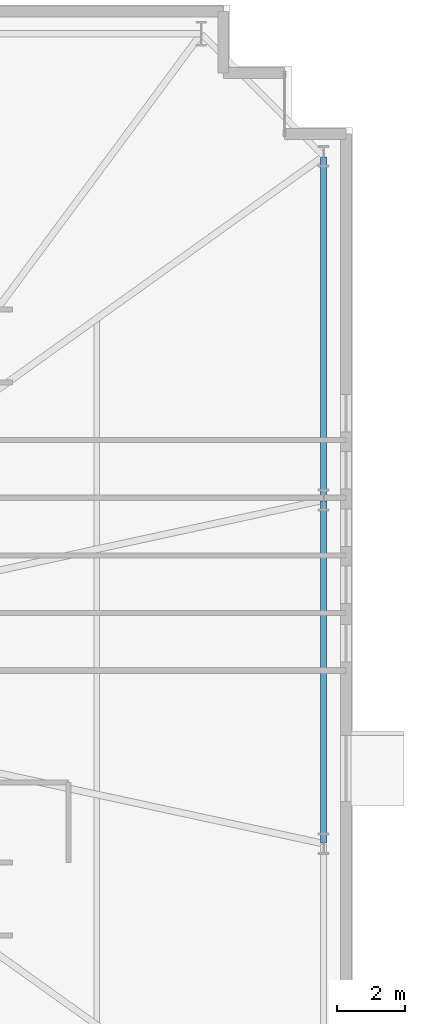
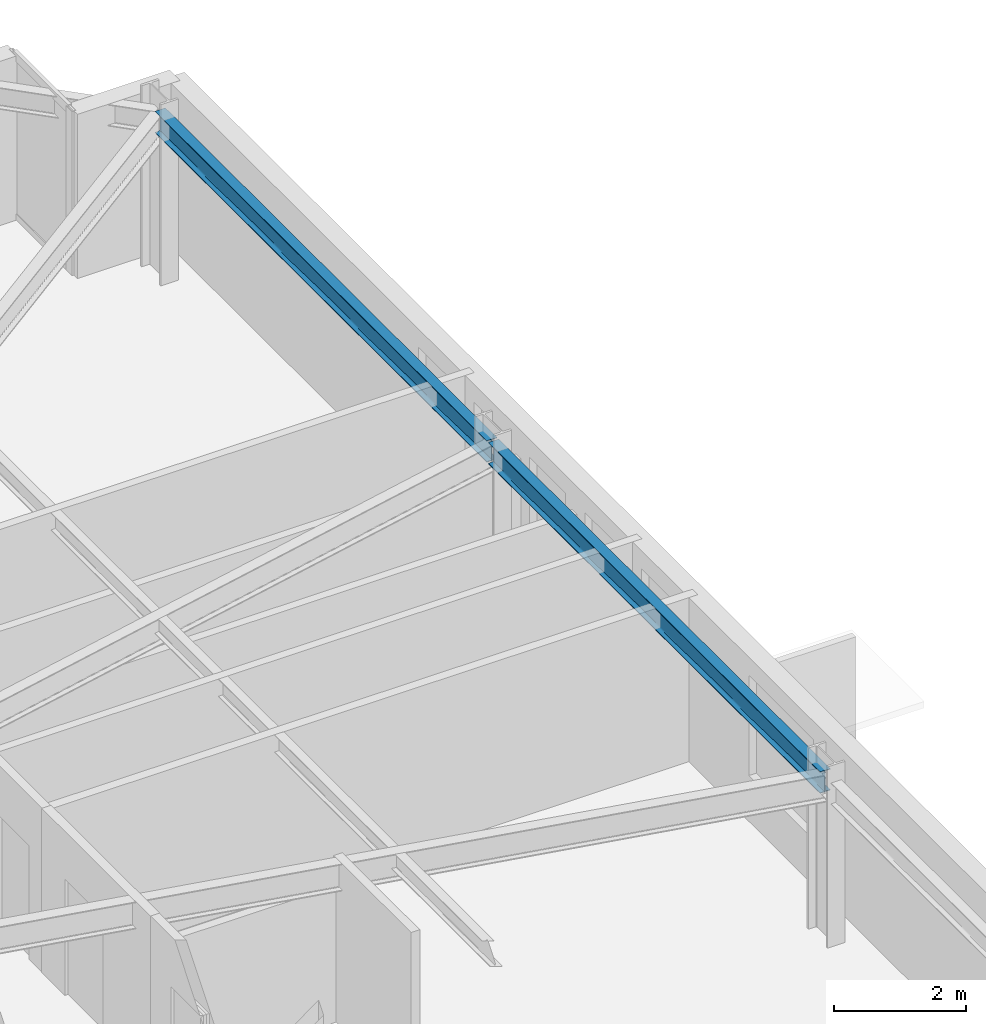
# One storey, part 11 of 21: 2 beams.
"""IFC4 building model written with IfcOpenShell, lengths in metres."""

import ifcopenshell
import ifcopenshell.guid

model = None  # the IFC model being written
_history = None  # IfcOwnerHistory: only IFC2X3 demands one
_inside = {}  # id of a spatial element -> (the spatial element, [elements in it])
_under = {}  # id of a project, library or spatial element -> (it, [spatial elements below it])
_declared = {}  # id of a project -> (the project, [libraries it declares])
_typed = {}  # id of a type object -> (the type object, [elements of that type])
_made_of = {}  # id of a material, layer set ... -> (it, [elements and type objects made of it])


def new_model(schema):
    """Start an empty IFC model of exactly this schema.

    Asked for "IFC4X3", IfcOpenShell would pick the latest addendum, in which some entities
    have other attributes; the version numbers below select the first issue.
    IFC2X3 requires an IfcOwnerHistory on every rooted entity: one is made here for all.
    """
    global model, _history
    if schema == "IFC4X3":
        model = ifcopenshell.file(schema_version=(4, 3, 0, 0))
    else:
        model = ifcopenshell.file(schema=schema)
    _inside.clear()
    _under.clear()
    _declared.clear()
    _typed.clear()
    _made_of.clear()
    _history = None
    if model.schema == "IFC2X3":
        org = make("IfcOrganization", Name="unknown")
        user = make(
            "IfcPersonAndOrganization",
            ThePerson=make("IfcPerson", FamilyName="unknown"),
            TheOrganization=org,
        )
        app = make(
            "IfcApplication",
            ApplicationDeveloper=org,
            Version="unknown",
            ApplicationFullName="unknown",
            ApplicationIdentifier="unknown",
        )
        _history = make(
            "IfcOwnerHistory",
            OwningUser=user,
            OwningApplication=app,
            ChangeAction="ADDED",
            CreationDate=0,
        )
    return model


def make(cls, **values):
    """One entity of the class cls with the attributes given. An attribute that is None is left unset."""
    return model.create_entity(
        cls, **{name: value for name, value in values.items() if value is not None}
    )


def rooted(cls, **values):
    """An entity with a GlobalId (a new one), such as an element, a storey or a relation."""
    return make(cls, GlobalId=ifcopenshell.guid.new(), OwnerHistory=_history, **values)


def si_unit(unit_type, name, prefix=None):
    """IfcSIUnit, for example si_unit("LENGTHUNIT", "METRE", prefix="MILLI")."""
    return make("IfcSIUnit", UnitType=unit_type, Prefix=prefix, Name=name)


def assignment(units):
    """IfcUnitAssignment: the units of a project."""
    return None if units is None else make("IfcUnitAssignment", Units=units)


def point(xyz):
    """IfcCartesianPoint."""
    return None if xyz is None else make("IfcCartesianPoint", Coordinates=xyz)


def direction(xyz):
    """IfcDirection."""
    return None if xyz is None else make("IfcDirection", DirectionRatios=xyz)


def frame(location, z_axis=None, x_axis=None):
    """IfcAxis2Placement3D, a coordinate frame: its origin and axes. An axis left out is left unset."""
    return make(
        "IfcAxis2Placement3D",
        Location=point(location),
        Axis=direction(z_axis),
        RefDirection=direction(x_axis),
    )


def frame_2d(location, x_axis=None):
    """IfcAxis2Placement2D, a coordinate frame in the plane: its origin and x axis."""
    return make(
        "IfcAxis2Placement2D", Location=point(location), RefDirection=direction(x_axis)
    )


def origin():
    """The frame at (0, 0, 0) with its axes left unset."""
    return frame((0.0, 0.0, 0.0))


def origin_2d():
    """The frame at (0, 0) in the plane with its x axis left unset."""
    return frame_2d((0.0, 0.0))


def place(relative_to, where):
    """IfcLocalPlacement: puts the frame where relative to a parent placement (None: the world)."""
    return make(
        "IfcLocalPlacement", PlacementRelTo=relative_to, RelativePlacement=where
    )


def context(
    kind, dimensions, precision=None, world=None, true_north=None, identifier=None
):
    """IfcGeometricRepresentationContext, for example the 3D "Model" context."""
    return make(
        "IfcGeometricRepresentationContext",
        ContextIdentifier=identifier,
        ContextType=kind,
        CoordinateSpaceDimension=dimensions,
        Precision=precision,
        WorldCoordinateSystem=world,
        TrueNorth=true_north,
    )


def subcontext(parent, identifier, kind, view, scale=None):
    """IfcGeometricRepresentationSubContext, for example "Body" below "Model"."""
    return make(
        "IfcGeometricRepresentationSubContext",
        ContextIdentifier=identifier,
        ContextType=kind,
        ParentContext=parent,
        TargetScale=scale,
        TargetView=view,
    )


def project(units=None, contexts=None):
    """IfcProject with its units and contexts."""
    return rooted(
        "IfcProject",
        Name="project",
        RepresentationContexts=contexts,
        UnitsInContext=assignment(units),
    )


def spatial(cls, under=None, at=None, **own):
    """A site, building, storey or space (cls), placed at a placement, below another one or the project."""
    s = rooted(cls, ObjectPlacement=at, **own)
    if under is not None:
        _under.setdefault(under.id(), (under, []))[1].append(s)
    return s


def profile(cls, at=None, kind="AREA", **sizes):
    """A parametric profile (cls). Its sizes go by their IFC names, for example OverallWidth=200.0."""
    return make(cls, ProfileType=kind, Position=at, **sizes)


def i_section(**sizes):
    """IfcIShapeProfileDef."""
    return profile("IfcIShapeProfileDef", **sizes)


def extrude(swept, where, along, depth):
    """IfcExtrudedAreaSolid: the profile swept, set in the frame where, extruded along a direction by depth."""
    return make(
        "IfcExtrudedAreaSolid",
        SweptArea=swept,
        Position=where,
        ExtrudedDirection=direction(along),
        Depth=depth,
    )


def shape(context_of_items, identifier, shape_type, items):
    """IfcShapeRepresentation: the items that make up one representation, for example the "Body"."""
    return make(
        "IfcShapeRepresentation",
        ContextOfItems=context_of_items,
        RepresentationIdentifier=identifier,
        RepresentationType=shape_type,
        Items=items,
    )


def material(Name=None, Category=None):
    """IfcMaterial."""
    return make("IfcMaterial", Name=Name, Category=Category)


def material_profile(
    of_material, cross_section, Name=None, Category=None, Priority=None
):
    """IfcMaterialProfile: a cross section and its material."""
    return make(
        "IfcMaterialProfile",
        Name=Name,
        Material=of_material,
        Profile=cross_section,
        Priority=Priority,
        Category=Category,
    )


def profile_set(profiles, Name=None, composite=None):
    """IfcMaterialProfileSet."""
    return make(
        "IfcMaterialProfileSet",
        Name=Name,
        MaterialProfiles=profiles,
        CompositeProfile=composite,
    )


def made_of(thing, what):
    """Note that an element or type object is made of a material, layer set ...; save() writes the relation."""
    if what is not None:
        _made_of.setdefault(what.id(), (what, []))[1].append(thing)
    return thing


def type_object(cls, material=None, **own):
    """A type object (cls), such as IfcWallType, which elements share."""
    return made_of(rooted(cls, **own), material)


def element(
    cls,
    number,
    at=None,
    inside=None,
    cuts=None,
    type_object=None,
    material=None,
    context=None,
    identifier="Body",
    shape_type=None,
    held_by="IfcProductDefinitionShape",
    body=None,
    shapes=None,
    **own,
):
    """One element of the class cls, such as IfcWall. Its Tag is "e" and its number.

    at: its placement. inside: the storey or other place that contains it. cuts: it is an
    opening in that element (IfcRelVoidsElement). A single representation is given by context,
    identifier, shape_type and body (its items); several are given by shapes. held_by: the class
    of the entity that holds the representations. save() writes the other relations.
    """
    e = rooted(cls, Tag="e%d" % number, ObjectPlacement=at, **own)
    if body is not None:
        shapes = [shape(context, identifier, shape_type, body)]
    if shapes is not None:
        e.Representation = make(held_by, Representations=shapes)
    if inside is not None:
        _inside.setdefault(inside.id(), (inside, []))[1].append(e)
    if cuts is not None:
        rooted(
            "IfcRelVoidsElement", RelatingBuildingElement=cuts, RelatedOpeningElement=e
        )
    if type_object is not None:
        _typed.setdefault(type_object.id(), (type_object, []))[1].append(e)
    return made_of(e, material)


def aggregate(whole, parts):
    """IfcRelAggregates: a whole, such as a stair, and the parts it consists of."""
    return rooted("IfcRelAggregates", RelatingObject=whole, RelatedObjects=parts)


def save(model, path):
    """Write the relations noted so far, then the file.

    IfcRelAggregates (storeys below a building ...), IfcRelContainedInSpatialStructure (elements
    in a storey), IfcRelDefinesByType, IfcRelAssociatesMaterial and IfcRelDeclares: one each for
    every whole, place, type object, material and project.
    """
    for whole, parts in _under.values():
        aggregate(whole, parts)
    for where, things in _inside.values():
        rooted(
            "IfcRelContainedInSpatialStructure",
            RelatedElements=things,
            RelatingStructure=where,
        )
    for kind, things in _typed.values():
        rooted("IfcRelDefinesByType", RelatedObjects=things, RelatingType=kind)
    for what, things in _made_of.values():
        rooted("IfcRelAssociatesMaterial", RelatedObjects=things, RelatingMaterial=what)
    for by, libraries in _declared.values():
        rooted("IfcRelDeclares", RelatingContext=by, RelatedDefinitions=libraries)
    model.write(path)


model = new_model("IFC4")

# Units and contexts
model_context = context("Model", 3, precision=1e-05, world=origin(), true_north=direction((0.0, 1.0)))
body_context = subcontext(model_context, "Body", "Model", "MODEL_VIEW")
ifc_project = project(units=[si_unit("LENGTHUNIT", "METRE"), si_unit("AREAUNIT", "SQUARE_METRE"), si_unit("VOLUMEUNIT", "CUBIC_METRE"), si_unit("PLANEANGLEUNIT", "RADIAN"), si_unit("MASSUNIT", "GRAM", prefix="KILO")], contexts=[model_context])

# Site, building, storey
site_placement = place(None, origin())
site = spatial("IfcSite", under=ifc_project, at=site_placement, CompositionType="ELEMENT")
building_placement = place(site_placement, origin())
building = spatial("IfcBuilding", under=site, at=building_placement, Name="Qobustan Lattice House", CompositionType="ELEMENT")
storey_placement = place(building_placement, frame((0.0, 0.0, 30.35009765625)))
storey = spatial("IfcBuildingStorey", under=building, at=storey_placement, Name="L07", CompositionType="ELEMENT", Elevation=30.35009765625)

# Beams
ifc_material = material(Name="Steel S355", Category="steel")
ifc_material_profile = material_profile(ifc_material, i_section(OverallWidth=0.179931640625, OverallDepth=0.39990234375, WebThickness=0.008544921875, FlangeThickness=0.013427734375, FilletRadius=0.02099609375, at=origin_2d()), Name="IPE400")
ifc_profile_set = profile_set([ifc_material_profile], Name="Steel S355")
beam_type = type_object("IfcBeamType", Name="BM-SPD-IPE400", PredefinedType="SPANDREL", material=ifc_profile_set)
beam_1_placement = place(storey_placement, frame((32.14990234375, -5.02490234375, 2.8349609375), z_axis=(0.0, 1.0, 0.0), x_axis=(-1.0, 0.0, 0.0)))
element("IfcBeam", 1, at=beam_1_placement, inside=storey, type_object=beam_type, Name="L07 perimeter spandrel E2-E3", PredefinedType="SPANDREL", context=body_context, shape_type="SweptSolid", body=[
    extrude(i_section(OverallWidth=0.179931640625, OverallDepth=0.39990234375, WebThickness=0.008544921875, FlangeThickness=0.013427734375, FilletRadius=0.02099609375, at=origin_2d()), origin(), (0.0, 0.0, 1.0), 10.0498046875),
])
beam_2_placement = place(storey_placement, frame((32.14990234375, 5.074951171875, 2.8349609375), z_axis=(0.0, 1.0, 0.0), x_axis=(-1.0, 0.0, 0.0)))
element("IfcBeam", 2, at=beam_2_placement, inside=storey, type_object=beam_type, Name="L07 perimeter spandrel E3-E4", PredefinedType="SPANDREL", context=body_context, shape_type="SweptSolid", body=[
    extrude(i_section(OverallWidth=0.179931640625, OverallDepth=0.39990234375, WebThickness=0.008544921875, FlangeThickness=0.013427734375, FilletRadius=0.02099609375, at=origin_2d()), origin(), (0.0, 0.0, 1.0), 10.050048828125),
])

save(model, "model.ifc")
